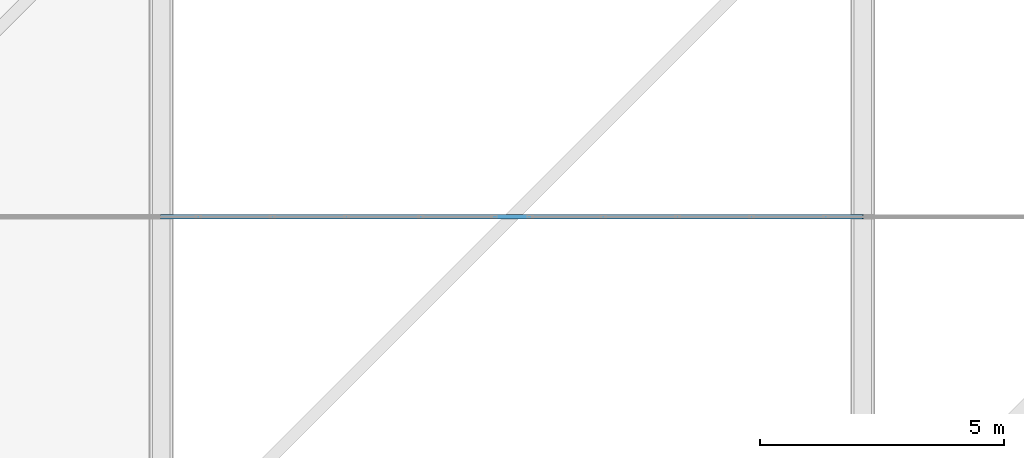
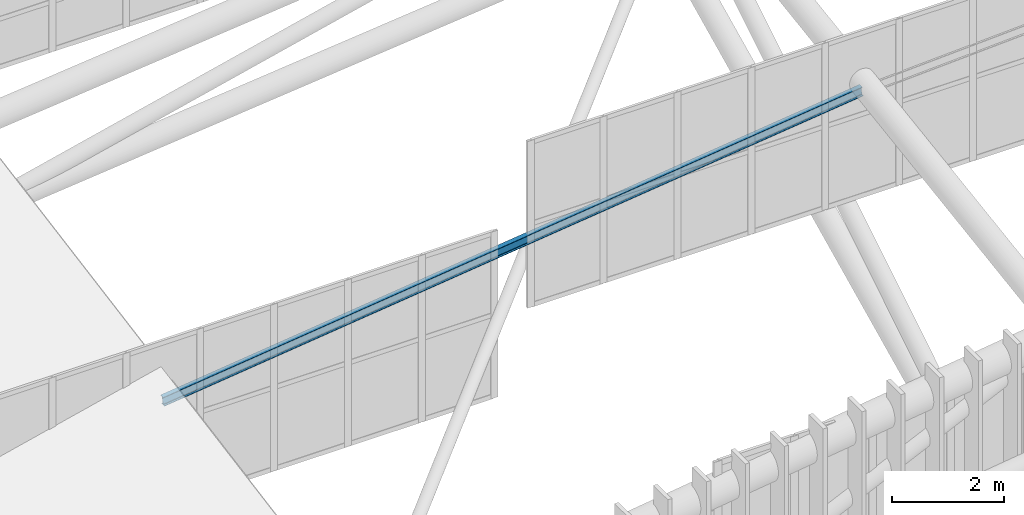
# One storey, part 31 of 397: 1 member.
"""IFC4 building model written with IfcOpenShell, lengths in metres."""

from ifc_helpers import new_model, si_unit, direction, frame, origin, origin_2d, place, context, subcontext, project, spatial, i_section, extrude, material, material_profile, profile_set, type_object, element, save


model = new_model("IFC4")

# Units and contexts
model_context = context("Model", 3, precision=1e-05, world=origin(), true_north=direction((0.0, 1.0)))
body_context = subcontext(model_context, "Body", "Model", "MODEL_VIEW")
ifc_project = project(units=[si_unit("LENGTHUNIT", "METRE"), si_unit("AREAUNIT", "SQUARE_METRE"), si_unit("VOLUMEUNIT", "CUBIC_METRE"), si_unit("PLANEANGLEUNIT", "RADIAN"), si_unit("MASSUNIT", "GRAM", prefix="KILO")], contexts=[model_context])

# Site, building, storey
site_placement = place(None, origin())
site = spatial("IfcSite", under=ifc_project, at=site_placement, CompositionType="ELEMENT")
building_placement = place(site_placement, origin())
building = spatial("IfcBuilding", under=site, at=building_placement, Name="Qandorah Velis Arena", CompositionType="ELEMENT")
storey_placement = place(building_placement, frame((0.0, 0.0, 27.5)))
storey = spatial("IfcBuildingStorey", under=building, at=storey_placement, Name="RF", CompositionType="ELEMENT", Elevation=27.5)

# Member
ifc_material = material(Name="Steel S355", Category="steel")
ifc_material_profile = material_profile(ifc_material, i_section(OverallWidth=0.10009765625, OverallDepth=0.199951171875, WebThickness=0.005615234375, FlangeThickness=0.008544921875, FilletRadius=0.011962890625, at=origin_2d()), Name="IPE 200")
ifc_profile_set = profile_set([ifc_material_profile], Name="Steel S355")
member_type = type_object("IfcMemberType", Name="STR-PRL-IPE200", PredefinedType="PURLIN", material=ifc_profile_set)
member_placement = place(storey_placement, frame((28.800048828125, 21.60009765625, 5.938720703125), z_axis=(0.992936140463, 0.0, 0.118649993523), x_axis=(0.0, 1.0, 0.0)))
element("IfcMember", 1, at=member_placement, inside=storey, type_object=member_type, Name="Arena roof purlin PRL-1.0", PredefinedType="PURLIN", context=body_context, shape_type="SweptSolid", body=[
    extrude(i_section(OverallWidth=0.10009765625, OverallDepth=0.199951171875, WebThickness=0.005615234375, FlangeThickness=0.008544921875, FilletRadius=0.011962890625, at=origin_2d()), origin(), (0.0, 0.0, 1.0), 14.50244140625),
])

save(model, "model.ifc")
